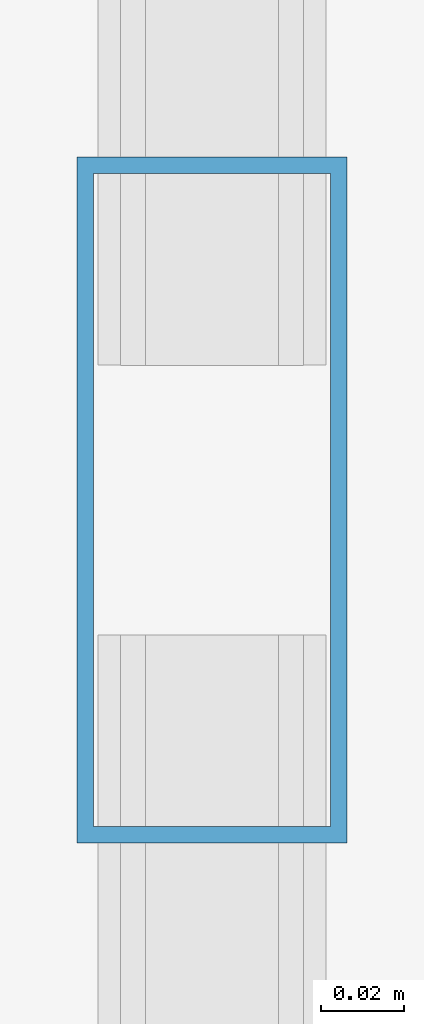
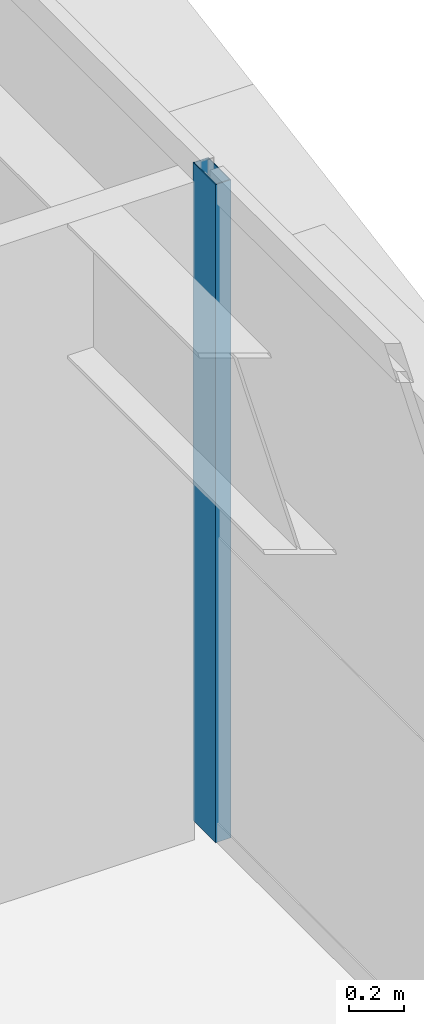
# One storey, part 19 of 44: 1 member, 1 element without a shape of its own.
"""IFC4 building model written with IfcOpenShell, lengths in metres."""

from ifc_helpers import new_model, si_unit, direction, frame, origin, origin_2d, place, context, subcontext, project, spatial, hollow_rectangle, extrude, source, transform, mapped, material, layer, layer_set, material_profile, profile_set, type_object, element, aggregate, save


model = new_model("IFC4")

# Units and contexts
model_context = context("Model", 3, precision=1e-05, world=origin(), true_north=direction((0.0, 1.0)))
body_context = subcontext(model_context, "Body", "Model", "MODEL_VIEW")
ifc_project = project(units=[si_unit("LENGTHUNIT", "METRE"), si_unit("AREAUNIT", "SQUARE_METRE"), si_unit("VOLUMEUNIT", "CUBIC_METRE"), si_unit("PLANEANGLEUNIT", "RADIAN"), si_unit("MASSUNIT", "GRAM", prefix="KILO")], contexts=[model_context])

# Site, building, storey
site_placement = place(None, origin())
site = spatial("IfcSite", under=ifc_project, at=site_placement, CompositionType="ELEMENT")
building_placement = place(site_placement, origin())
building = spatial("IfcBuilding", under=site, at=building_placement, Name="Taldren Reach Tower", CompositionType="ELEMENT")
storey_placement = place(building_placement, frame((0.0, 0.0, 38.85009765625)))
storey = spatial("IfcBuildingStorey", under=building, at=storey_placement, Name="L11", CompositionType="ELEMENT", Elevation=38.85009765625)

# Curtain wall, member
ifc_material_1 = material(Name="Aluminium and Low-E Glass Unitised System", Category="aluminium")
ifc_layer = layer(ifc_material_1, 0.159912109375)
ifc_layer_set = layer_set([ifc_layer], Name="Aluminium and Low-E Glass Unitised System")
curtain_wall_type = type_object("IfcCurtainWallType", Name="CW-SYS-2", PredefinedType="NOTDEFINED", material=ifc_layer_set)
curtain_wall_placement = place(storey_placement, origin())
curtain_wall = element("IfcCurtainWall", 1, at=curtain_wall_placement, inside=storey, type_object=curtain_wall_type, Name="Unitised curtain wall CW-L11-E", PredefinedType="NOTDEFINED")
ifc_material_2 = material(Name="Anodised Aluminium 6063-T6", Category="aluminium")
ifc_material_profile = material_profile(ifc_material_2, hollow_rectangle(XDim=0.06494140625, YDim=0.1650390625, WallThickness=0.00390625, at=origin_2d()), Name="ALU-165x65x4RHS")
ifc_profile_set = profile_set([ifc_material_profile], Name="Anodised Aluminium 6063-T6")
member_type = type_object("IfcMemberType", Name="CW-MUL-165", PredefinedType="MULLION", material=ifc_profile_set)
shared_shape = source(origin(), body_context, "Body", "SweptSolid", [
    extrude(hollow_rectangle(XDim=0.06494140625, YDim=0.1650390625, WallThickness=0.00390625, at=origin_2d()), origin(), (0.0, 0.0, 1.0), 2.929931640625),
])
member_placement = place(storey_placement, frame((64.860107421875, 25.166748046875, 0.0), z_axis=(0.0, 0.0, 1.0), x_axis=(-1.0, 0.0, 0.0)))
member = element("IfcMember", 2, at=member_placement, type_object=member_type, Name="CW-2 mullion 3", PredefinedType="MULLION", context=body_context, shape_type="MappedRepresentation", body=[
    mapped(shared_shape, transform((0.0, 0.0, 0.0), scale=1.0)),
])
aggregate(curtain_wall, [member])

save(model, "model.ifc")
